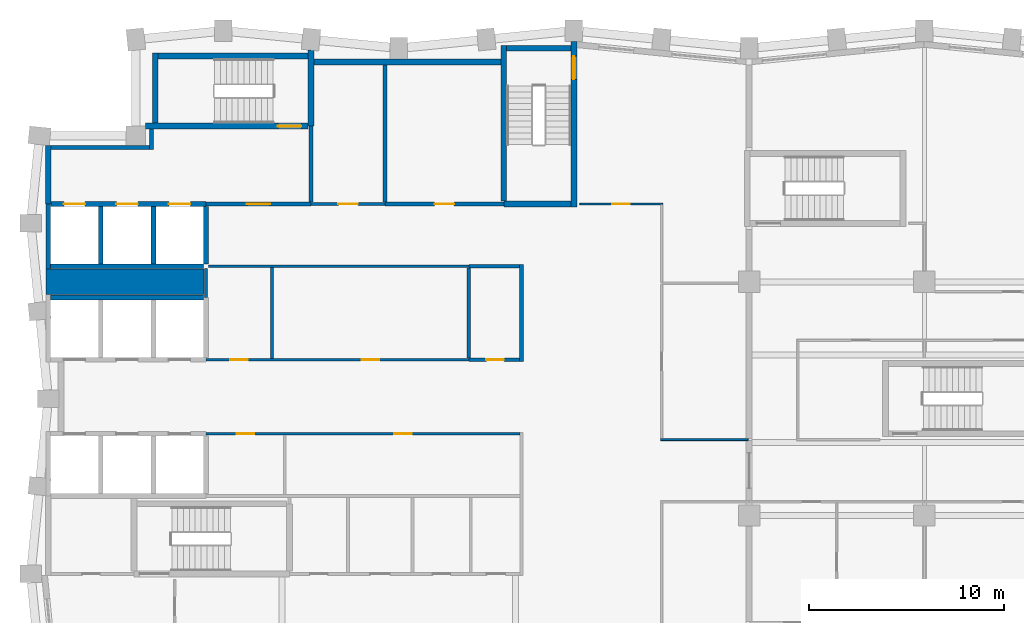
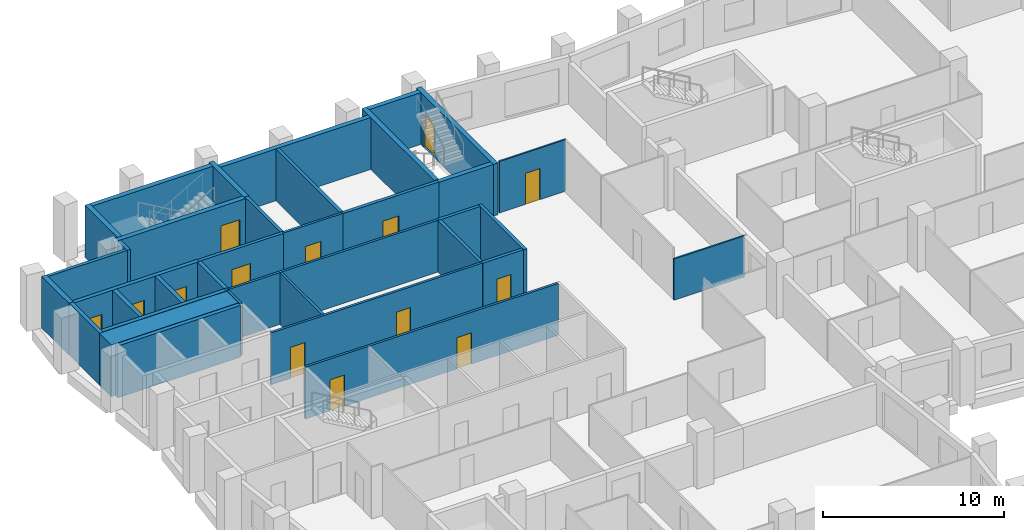
# One storey, part 6 of 10: 36 walls, 14 doors, 14 openings.
"""IFC4 building model written with IfcOpenShell, lengths in metres."""

from ifc_helpers import new_model, si_unit, direction, frame, frame_2d, origin, place, context, subcontext, project, spatial, rectangle, extrude, material, layer, layer_set, type_object, element, fill, save


model = new_model("IFC4")

# Units and contexts
model_context = context("Model", 3, precision=1e-05, world=origin(), true_north=direction((0.0, 1.0)))
body_context = subcontext(model_context, "Body", "Model", "MODEL_VIEW")
ifc_project = project(units=[si_unit("LENGTHUNIT", "METRE"), si_unit("AREAUNIT", "SQUARE_METRE"), si_unit("VOLUMEUNIT", "CUBIC_METRE"), si_unit("PLANEANGLEUNIT", "RADIAN"), si_unit("MASSUNIT", "GRAM", prefix="KILO")], contexts=[model_context])

# Site, building, storey
site_placement = place(None, origin())
site = spatial("IfcSite", under=ifc_project, at=site_placement, CompositionType="ELEMENT")
building_placement = place(site_placement, origin())
building = spatial("IfcBuilding", under=site, at=building_placement, Name="Brondeck Convention Tower", CompositionType="ELEMENT")
storey_placement = place(building_placement, frame((0.0, 0.0, 173.800048828125)))
storey = spatial("IfcBuildingStorey", under=building, at=storey_placement, Name="L42", CompositionType="ELEMENT", Elevation=173.800048828125)

# Walls
ifc_material_1 = material(Name="Concrete C70/85", Category="concrete")
ifc_layer_1 = layer(ifc_material_1, 0.199951171875)
ifc_layer_set_1 = layer_set([ifc_layer_1], Name="Core beam-seat wall 200 Concrete C70/85")
wall_type_1 = type_object("IfcWallType", Name="Core beam-seat wall 200 Concrete C70/85", PredefinedType="SHEAR", material=ifc_layer_set_1)
wall_1_placement = place(storey_placement, frame((24.300048828125, 46.89990234375, 0.0), z_axis=(0.0, 0.0, 1.0), x_axis=(0.0, 1.0, 0.0)))
element("IfcWall", 1, at=wall_1_placement, inside=storey, type_object=wall_type_1, Name="L42 core wall", PredefinedType="SHEAR", context=body_context, shape_type="SweptSolid", body=[
    extrude(rectangle(XDim=5.0, YDim=0.199951171875, at=frame_2d((2.5, 0.0))), origin(), (0.0, 0.0, 1.0), 3.5),
])
ifc_layer_2 = layer(ifc_material_1, 0.300048828125)
ifc_layer_set_2 = layer_set([ifc_layer_2], Name="Core outer wall 300 Concrete C70/85")
wall_type_2 = type_object("IfcWallType", Name="Core outer wall 300 Concrete C70/85", PredefinedType="SHEAR", material=ifc_layer_set_2)
wall_2_placement = place(storey_placement, frame((13.64990234375, 62.300048828125, 0.0), z_axis=(0.0, 0.0, 1.0), x_axis=(1.0, 0.0, 0.0)))
element("IfcWall", 2, at=wall_2_placement, inside=storey, type_object=wall_type_2, Name="L42 core wall", PredefinedType="SHEAR", context=body_context, shape_type="SweptSolid", body=[
    extrude(rectangle(XDim=9.60009765625, YDim=0.300048828125, at=frame_2d((4.800048828125, 0.0))), origin(), (0.0, 0.0, 1.0), 3.5),
])
wall_3_placement = place(storey_placement, frame((0.0, 55.0, 0.0), z_axis=(0.0, 0.0, 1.0), x_axis=(0.0, 1.0, 0.0)))
element("IfcWall", 3, at=wall_3_placement, inside=storey, type_object=wall_type_2, Name="L42 core wall", PredefinedType="SHEAR", context=body_context, shape_type="SweptSolid", body=[
    extrude(rectangle(XDim=3.0, YDim=0.300048828125, at=frame_2d((1.5, 0.0))), origin(), (0.0, 0.0, 1.0), 3.5),
])

# Wall, openings, doors
ifc_material_2 = material(Name="Fire-rated gypsum board partition")
ifc_layer_3 = layer(ifc_material_2, 0.14990234375)
ifc_layer_set_3 = layer_set([ifc_layer_3], Name="Core partition 150 EI 60")
wall_type_3 = type_object("IfcWallType", Name="Core partition 150 EI 60", PredefinedType="PARTITIONING", material=ifc_layer_set_3)
wall_4_placement = place(storey_placement, frame((8.10009765625, 43.199951171875, 0.0), z_axis=(0.0, 0.0, 1.0), x_axis=(1.0, 0.0, 0.0)))
wall_4 = element("IfcWall", 4, at=wall_4_placement, inside=storey, type_object=wall_type_3, Name="L42 core wall", PredefinedType="PARTITIONING", context=body_context, shape_type="SweptSolid", body=[
    extrude(rectangle(XDim=16.125, YDim=0.14990234375, at=frame_2d((8.0625, 0.0))), origin(), (0.0, 0.0, 1.0), 3.5),
])
opening_1_placement = place(wall_4_placement, frame((1.574951171875, 0.0, 0.0)))
opening_1 = element("IfcOpeningElement", 5, at=opening_1_placement, cuts=wall_4, Name="Opening C23-10", PredefinedType="OPENING", context=body_context, shape_type="SweptSolid", body=[
    extrude(rectangle(XDim=0.89990234375, YDim=2.10009765625, at=frame_2d((0.449951171875, 1.050048828125))), frame((0.0, 0.0849609375, 0.0), z_axis=(0.0, -1.0, 0.0), x_axis=(1.0, 0.0, 0.0)), (0.0, 0.0, 1.0), 0.169921875),
])
opening_2_placement = place(wall_4_placement, frame((9.675048828125, 0.0, 0.0)))
opening_2 = element("IfcOpeningElement", 6, at=opening_2_placement, cuts=wall_4, Name="Opening C23-11", PredefinedType="OPENING", context=body_context, shape_type="SweptSolid", body=[
    extrude(rectangle(XDim=0.89990234375, YDim=2.10009765625, at=frame_2d((0.449951171875, 1.050048828125))), frame((0.0, 0.0849609375, 0.0), z_axis=(0.0, -1.0, 0.0), x_axis=(1.0, 0.0, 0.0)), (0.0, 0.0, 1.0), 0.169921875),
])
ifc_material_3 = material(Name="Steel fire door", Category="steel")
door_type_1 = type_object("IfcDoorType", Name="Room door 900x2100 EI 60", OperationType="NOTDEFINED", PredefinedType="DOOR", material=ifc_material_3)
door_1_placement = place(opening_1_placement, origin())
door_1 = element("IfcDoor", 7, at=door_1_placement, inside=storey, type_object=door_type_1, Name="L42 Room door FZ-S-8.1-1", OperationType="SINGLE_SWING_RIGHT", OverallHeight=2.10009765625, OverallWidth=0.89990234375, PredefinedType="DOOR", context=body_context, shape_type="SweptSolid", body=[
    extrude(rectangle(XDim=0.89990234375, YDim=2.10009765625, at=frame_2d((0.449951171875, 1.050048828125))), frame((0.0, 0.02490234375, 0.0), z_axis=(0.0, -1.0, 0.0), x_axis=(1.0, 0.0, 0.0)), (0.0, 0.0, 1.0), 0.050048828125),
])
fill(opening_1, door_1)
door_2_placement = place(opening_2_placement, origin())
door_2 = element("IfcDoor", 8, at=door_2_placement, inside=storey, type_object=door_type_1, Name="L42 Room door FZ-S-8.1-2", OperationType="SINGLE_SWING_LEFT", OverallHeight=2.10009765625, OverallWidth=0.89990234375, PredefinedType="DOOR", context=body_context, shape_type="SweptSolid", body=[
    extrude(rectangle(XDim=0.89990234375, YDim=2.10009765625, at=frame_2d((0.449951171875, 1.050048828125))), frame((0.0, 0.02490234375, 0.0), z_axis=(0.0, -1.0, 0.0), x_axis=(1.0, 0.0, 0.0)), (0.0, 0.0, 1.0), 0.050048828125),
])
fill(opening_2, door_2)

wall_5_placement = place(storey_placement, frame((8.10009765625, 47.0, 0.0), z_axis=(0.0, 0.0, 1.0), x_axis=(1.0, 0.0, 0.0)))
wall_5 = element("IfcWall", 9, at=wall_5_placement, inside=storey, type_object=wall_type_3, Name="L42 core wall", PredefinedType="PARTITIONING", context=body_context, shape_type="SweptSolid", body=[
    extrude(rectangle(XDim=13.5, YDim=0.14990234375, at=frame_2d((6.75, 0.0))), origin(), (0.0, 0.0, 1.0), 3.5),
])
opening_3_placement = place(wall_5_placement, frame((1.25, 0.0, 0.0)))
opening_3 = element("IfcOpeningElement", 10, at=opening_3_placement, cuts=wall_5, Name="Opening C23-08", PredefinedType="OPENING", context=body_context, shape_type="SweptSolid", body=[
    extrude(rectangle(XDim=0.89990234375, YDim=2.10009765625, at=frame_2d((0.449951171875, 1.050048828125))), frame((0.0, 0.0849609375, 0.0), z_axis=(0.0, -1.0, 0.0), x_axis=(1.0, 0.0, 0.0)), (0.0, 0.0, 1.0), 0.169921875),
])
opening_4_placement = place(wall_5_placement, frame((8.0, 0.0, 0.0)))
opening_4 = element("IfcOpeningElement", 11, at=opening_4_placement, cuts=wall_5, Name="Opening C23-09", PredefinedType="OPENING", context=body_context, shape_type="SweptSolid", body=[
    extrude(rectangle(XDim=0.89990234375, YDim=2.10009765625, at=frame_2d((0.449951171875, 1.050048828125))), frame((0.0, 0.0849609375, 0.0), z_axis=(0.0, -1.0, 0.0), x_axis=(1.0, 0.0, 0.0)), (0.0, 0.0, 1.0), 0.169921875),
])
door_3_placement = place(opening_3_placement, origin())
door_3 = element("IfcDoor", 12, at=door_3_placement, inside=storey, type_object=door_type_1, Name="L42 Room door FZ-N-8.1-1", OperationType="SINGLE_SWING_LEFT", OverallHeight=2.10009765625, OverallWidth=0.89990234375, PredefinedType="DOOR", context=body_context, shape_type="SweptSolid", body=[
    extrude(rectangle(XDim=0.89990234375, YDim=2.10009765625, at=frame_2d((0.449951171875, 1.050048828125))), frame((0.0, 0.02490234375, 0.0), z_axis=(0.0, -1.0, 0.0), x_axis=(1.0, 0.0, 0.0)), (0.0, 0.0, 1.0), 0.050048828125),
])
fill(opening_3, door_3)
door_4_placement = place(opening_4_placement, origin())
door_4 = element("IfcDoor", 13, at=door_4_placement, inside=storey, type_object=door_type_1, Name="L42 Room door FZ-N-8.1-2", OperationType="SINGLE_SWING_RIGHT", OverallHeight=2.10009765625, OverallWidth=0.89990234375, PredefinedType="DOOR", context=body_context, shape_type="SweptSolid", body=[
    extrude(rectangle(XDim=0.89990234375, YDim=2.10009765625, at=frame_2d((0.449951171875, 1.050048828125))), frame((0.0, 0.02490234375, 0.0), z_axis=(0.0, -1.0, 0.0), x_axis=(1.0, 0.0, 0.0)), (0.0, 0.0, 1.0), 0.050048828125),
])
fill(opening_4, door_4)

# Wall
wall_6_placement = place(storey_placement, frame((8.22509765625, 51.800048828125, 0.0), z_axis=(0.0, 0.0, 1.0), x_axis=(1.0, 0.0, 0.0)))
element("IfcWall", 14, at=wall_6_placement, inside=storey, type_object=wall_type_3, Name="L42 core wall", PredefinedType="PARTITIONING", context=body_context, shape_type="SweptSolid", body=[
    extrude(rectangle(XDim=13.375, YDim=0.14990234375, at=frame_2d((6.6875, 0.0))), origin(), (0.0, 0.0, 1.0), 3.5),
])

# Wall, opening, door
wall_7_placement = place(storey_placement, frame((13.5, 55.0, 0.0), z_axis=(0.0, 0.0, 1.0), x_axis=(1.0, 0.0, 0.0)))
wall_7 = element("IfcWall", 15, at=wall_7_placement, inside=storey, type_object=wall_type_3, Name="L42 core wall", PredefinedType="PARTITIONING", context=body_context, shape_type="SweptSolid", body=[
    extrude(rectangle(XDim=3.800048828125, YDim=0.14990234375, at=frame_2d((1.89990234375, 0.0))), origin(), (0.0, 0.0, 1.0), 3.5),
])
opening_5_placement = place(wall_7_placement, frame((1.39990234375, 0.0, 0.0)))
opening_5 = element("IfcOpeningElement", 16, at=opening_5_placement, cuts=wall_7, Name="Opening C23-12", PredefinedType="OPENING", context=body_context, shape_type="SweptSolid", body=[
    extrude(rectangle(XDim=1.0, YDim=2.10009765625, at=frame_2d((0.5, 1.050048828125))), frame((0.0, 0.0849609375, 0.0), z_axis=(0.0, -1.0, 0.0), x_axis=(1.0, 0.0, 0.0)), (0.0, 0.0, 1.0), 0.169921875),
])
door_type_2 = type_object("IfcDoorType", Name="Room door 1000x2100 EI 60", OperationType="NOTDEFINED", PredefinedType="DOOR", material=ifc_material_3)
door_5_placement = place(opening_5_placement, origin())
door_5 = element("IfcDoor", 17, at=door_5_placement, inside=storey, type_object=door_type_2, Name="L42 Room door NE-1", OperationType="SINGLE_SWING_LEFT", OverallHeight=2.10009765625, OverallWidth=1.0, PredefinedType="DOOR", context=body_context, shape_type="SweptSolid", body=[
    extrude(rectangle(XDim=1.0, YDim=2.10009765625, at=frame_2d((0.5, 1.050048828125))), frame((0.0, 0.02490234375, 0.0), z_axis=(0.0, -1.0, 0.0), x_axis=(1.0, 0.0, 0.0)), (0.0, 0.0, 1.0), 0.050048828125),
])
fill(opening_5, door_5)

# Walls
wall_8_placement = place(storey_placement, frame((8.10009765625, 50.199951171875, 0.0), z_axis=(0.0, 0.0, 1.0), x_axis=(0.0, 1.0, 0.0)))
element("IfcWall", 18, at=wall_8_placement, inside=storey, type_object=wall_type_3, Name="L42 core wall", PredefinedType="PARTITIONING", context=body_context, shape_type="SweptSolid", body=[
    extrude(rectangle(XDim=1.47509765625, YDim=0.14990234375, at=frame_2d((0.737548828125, 0.0))), origin(), (0.0, 0.0, 1.0), 3.5),
])
wall_9_placement = place(storey_placement, frame((11.5, 47.074951171875, 0.0), z_axis=(0.0, 0.0, 1.0), x_axis=(0.0, 1.0, 0.0)))
element("IfcWall", 19, at=wall_9_placement, inside=storey, type_object=wall_type_3, Name="L42 core wall", PredefinedType="PARTITIONING", context=body_context, shape_type="SweptSolid", body=[
    extrude(rectangle(XDim=4.650146484375, YDim=0.14990234375, at=frame_2d((2.3251953125, 0.0))), origin(), (0.0, 0.0, 1.0), 3.5),
])
ifc_layer_4 = layer(ifc_material_1, 1.300048828125)
ifc_layer_set_4 = layer_set([ifc_layer_4], Name="Core shear wall 1300 Concrete C70/85")
wall_type_4 = type_object("IfcWallType", Name="Core shear wall 1300 Concrete C70/85", PredefinedType="SHEAR", material=ifc_layer_set_4)
wall_10_placement = place(storey_placement, frame((-0.125, 51.0, 0.0), z_axis=(0.0, 0.0, 1.0), x_axis=(1.0, 0.0, 0.0)))
element("IfcWall", 20, at=wall_10_placement, inside=storey, type_object=wall_type_4, Name="L42 core wall", PredefinedType="SHEAR", context=body_context, shape_type="SweptSolid", body=[
    extrude(rectangle(XDim=8.125, YDim=1.300048828125, at=frame_2d((4.0625, 0.0))), origin(), (0.0, 0.0, 1.0), 3.5),
])

# Wall, opening, door
ifc_layer_5 = layer(ifc_material_2, 0.199951171875)
ifc_layer_set_5 = layer_set([ifc_layer_5], Name="Firefighting lobby wall 200 EI 120")
wall_type_5 = type_object("IfcWallType", Name="Firefighting lobby wall 200 EI 120", PredefinedType="PARTITIONING", material=ifc_layer_set_5)
wall_11_placement = place(storey_placement, frame((8.10009765625, 55.0, 0.0), z_axis=(0.0, 0.0, 1.0), x_axis=(1.0, 0.0, 0.0)))
wall_11 = element("IfcWall", 21, at=wall_11_placement, inside=storey, type_object=wall_type_5, Name="L42 core wall", PredefinedType="PARTITIONING", context=body_context, shape_type="SweptSolid", body=[
    extrude(rectangle(XDim=5.39990234375, YDim=0.199951171875, at=frame_2d((2.699951171875, 0.0))), origin(), (0.0, 0.0, 1.0), 3.5),
])
opening_6_placement = place(wall_11_placement, frame((2.10009765625, 0.0, 0.0)))
opening_6 = element("IfcOpeningElement", 22, at=opening_6_placement, cuts=wall_11, Name="Opening C23-01", PredefinedType="OPENING", context=body_context, shape_type="SweptSolid", body=[
    extrude(rectangle(XDim=1.199951171875, YDim=2.199951171875, at=frame_2d((0.60009765625, 1.10009765625))), frame((0.0, 0.10986328125, 0.0), z_axis=(0.0, -1.0, 0.0), x_axis=(1.0, 0.0, 0.0)), (0.0, 0.0, 1.0), 0.219970703125),
])
door_type_3 = type_object("IfcDoorType", Name="Firefighting lobby door 1200x2200 EI 120", OperationType="NOTDEFINED", PredefinedType="DOOR", material=ifc_material_3)
door_6_placement = place(opening_6_placement, origin())
door_6 = element("IfcDoor", 23, at=door_6_placement, inside=storey, type_object=door_type_3, Name="L42 Firefighting lobby door FFL-1", OperationType="SINGLE_SWING_RIGHT", OverallHeight=2.199951171875, OverallWidth=1.199951171875, PredefinedType="DOOR", context=body_context, shape_type="SweptSolid", body=[
    extrude(rectangle(XDim=1.199951171875, YDim=2.199951171875, at=frame_2d((0.60009765625, 1.10009765625))), frame((0.0, 0.02490234375, 0.0), z_axis=(0.0, -1.0, 0.0), x_axis=(1.0, 0.0, 0.0)), (0.0, 0.0, 1.0), 0.050048828125),
])
fill(opening_6, door_6)

# Walls
wall_12_placement = place(storey_placement, frame((0.14990234375, 57.89990234375, 0.0), z_axis=(0.0, 0.0, 1.0), x_axis=(1.0, 0.0, 0.0)))
element("IfcWall", 24, at=wall_12_placement, inside=storey, type_object=wall_type_5, Name="L42 core wall", PredefinedType="PARTITIONING", context=body_context, shape_type="SweptSolid", body=[
    extrude(rectangle(XDim=5.050048828125, YDim=0.199951171875, at=frame_2d((2.52490234375, 0.0))), origin(), (0.0, 0.0, 1.0), 3.5),
])
wall_13_placement = place(storey_placement, frame((5.300048828125, 57.800048828125, 0.0), z_axis=(0.0, 0.0, 1.0), x_axis=(0.0, 1.0, 0.0)))
element("IfcWall", 25, at=wall_13_placement, inside=storey, type_object=wall_type_5, Name="L42 core wall", PredefinedType="PARTITIONING", context=body_context, shape_type="SweptSolid", body=[
    extrude(rectangle(XDim=1.050048828125, YDim=0.199951171875, at=frame_2d((0.52490234375, 0.0))), origin(), (0.0, 0.0, 1.0), 3.5),
])
wall_14_placement = place(storey_placement, frame((13.5, 55.10009765625, 0.0), z_axis=(0.0, 0.0, 1.0), x_axis=(0.0, 1.0, 0.0)))
element("IfcWall", 26, at=wall_14_placement, inside=storey, type_object=wall_type_5, Name="L42 core wall", PredefinedType="PARTITIONING", context=body_context, shape_type="SweptSolid", body=[
    extrude(rectangle(XDim=3.89990234375, YDim=0.199951171875, at=frame_2d((1.949951171875, 0.0))), origin(), (0.0, 0.0, 1.0), 3.5),
])
ifc_layer_6 = layer(ifc_material_1, 0.25)
ifc_layer_set_6 = layer_set([ifc_layer_6], Name="Lift shaft wall 250 Concrete C70/85")
wall_type_6 = type_object("IfcWallType", Name="Lift shaft wall 250 Concrete C70/85", PredefinedType="SHEAR", material=ifc_layer_set_6)
for number, where, z_axis, x_axis, name in (
    (27, (0.125, 50.199951171875, 0.0), (0.0, 0.0, 1.0), (1.0, 0.0, 0.0), "L42 core wall"),
    (28, (0.125, 51.800048828125, 0.0), (0.0, 0.0, 1.0), (1.0, 0.0, 0.0), "L42 core wall"),
):
    element("IfcWall", number, at=place(storey_placement, frame(where, z_axis=z_axis, x_axis=x_axis)), inside=storey, type_object=wall_type_6, Name=name, PredefinedType="SHEAR", context=body_context, shape_type="SweptSolid", body=[
        extrude(rectangle(XDim=7.85009765625, YDim=0.25, at=frame_2d((3.925048828125, 0.0))), origin(), (0.0, 0.0, 1.0), 3.5),
    ])

# Wall, openings, doors
wall_15_placement = place(storey_placement, frame((0.14990234375, 55.0, 0.0), z_axis=(0.0, 0.0, 1.0), x_axis=(1.0, 0.0, 0.0)))
wall_15 = element("IfcWall", 29, at=wall_15_placement, inside=storey, type_object=wall_type_6, Name="L42 core wall", PredefinedType="SHEAR", context=body_context, shape_type="SweptSolid", body=[
    extrude(rectangle(XDim=7.9501953125, YDim=0.25, at=frame_2d((3.97509765625, 0.0))), origin(), (0.0, 0.0, 1.0), 3.5),
])
opening_7_placement = place(wall_15_placement, frame((0.64990234375, 0.0, 0.0)))
opening_7 = element("IfcOpeningElement", 30, at=opening_7_placement, cuts=wall_15, Name="Opening C23-21", PredefinedType="OPENING", context=body_context, shape_type="SweptSolid", body=[
    extrude(rectangle(XDim=1.10009765625, YDim=2.10009765625, at=frame_2d((0.550048828125, 1.050048828125))), frame((0.0, 0.135009765625, 0.0), z_axis=(0.0, -1.0, 0.0), x_axis=(1.0, 0.0, 0.0)), (0.0, 0.0, 1.0), 0.27001953125),
])
opening_8_placement = place(wall_15_placement, frame((3.35009765625, 0.0, 0.0)))
opening_8 = element("IfcOpeningElement", 31, at=opening_8_placement, cuts=wall_15, Name="Opening C23-22", PredefinedType="OPENING", context=body_context, shape_type="SweptSolid", body=[
    extrude(rectangle(XDim=1.10009765625, YDim=2.10009765625, at=frame_2d((0.550048828125, 1.050048828125))), frame((0.0, 0.135009765625, 0.0), z_axis=(0.0, -1.0, 0.0), x_axis=(1.0, 0.0, 0.0)), (0.0, 0.0, 1.0), 0.27001953125),
])
opening_9_placement = place(wall_15_placement, frame((6.050048828125, 0.0, 0.0)))
opening_9 = element("IfcOpeningElement", 32, at=opening_9_placement, cuts=wall_15, Name="Opening C23-23", PredefinedType="OPENING", context=body_context, shape_type="SweptSolid", body=[
    extrude(rectangle(XDim=1.10009765625, YDim=2.10009765625, at=frame_2d((0.550048828125, 1.050048828125))), frame((0.0, 0.135009765625, 0.0), z_axis=(0.0, -1.0, 0.0), x_axis=(1.0, 0.0, 0.0)), (0.0, 0.0, 1.0), 0.27001953125),
])
ifc_material_4 = material(Name="Stainless steel lift door", Category="steel")
door_type_4 = type_object("IfcDoorType", Name="Lift landing door 1100x2100 EI 180", OperationType="DOUBLE_DOOR_SLIDING", PredefinedType="DOOR", material=ifc_material_4)
door_7_placement = place(opening_7_placement, origin())
door_7 = element("IfcDoor", 33, at=door_7_placement, inside=storey, type_object=door_type_4, Name="L42 Lift landing door FF1", OperationType="DOUBLE_DOOR_SLIDING", OverallHeight=2.10009765625, OverallWidth=1.10009765625, PredefinedType="DOOR", context=body_context, shape_type="SweptSolid", body=[
    extrude(rectangle(XDim=1.10009765625, YDim=2.10009765625, at=frame_2d((0.550048828125, 1.050048828125))), frame((0.0, 0.02490234375, 0.0), z_axis=(0.0, -1.0, 0.0), x_axis=(1.0, 0.0, 0.0)), (0.0, 0.0, 1.0), 0.050048828125),
])
fill(opening_7, door_7)
door_8_placement = place(opening_8_placement, origin())
door_8 = element("IfcDoor", 34, at=door_8_placement, inside=storey, type_object=door_type_4, Name="L42 Lift landing door FF2", OperationType="DOUBLE_DOOR_SLIDING", OverallHeight=2.10009765625, OverallWidth=1.10009765625, PredefinedType="DOOR", context=body_context, shape_type="SweptSolid", body=[
    extrude(rectangle(XDim=1.10009765625, YDim=2.10009765625, at=frame_2d((0.550048828125, 1.050048828125))), frame((0.0, 0.02490234375, 0.0), z_axis=(0.0, -1.0, 0.0), x_axis=(1.0, 0.0, 0.0)), (0.0, 0.0, 1.0), 0.050048828125),
])
fill(opening_8, door_8)
door_9_placement = place(opening_9_placement, origin())
door_9 = element("IfcDoor", 35, at=door_9_placement, inside=storey, type_object=door_type_4, Name="L42 Lift landing door FF3", OperationType="DOUBLE_DOOR_SLIDING", OverallHeight=2.10009765625, OverallWidth=1.10009765625, PredefinedType="DOOR", context=body_context, shape_type="SweptSolid", body=[
    extrude(rectangle(XDim=1.10009765625, YDim=2.10009765625, at=frame_2d((0.550048828125, 1.050048828125))), frame((0.0, 0.02490234375, 0.0), z_axis=(0.0, -1.0, 0.0), x_axis=(1.0, 0.0, 0.0)), (0.0, 0.0, 1.0), 0.050048828125),
])
fill(opening_9, door_9)

# Walls
wall_16_placement = place(storey_placement, frame((0.0, 51.64990234375, 0.0), z_axis=(0.0, 0.0, 1.0), x_axis=(0.0, 1.0, 0.0)))
element("IfcWall", 36, at=wall_16_placement, inside=storey, type_object=wall_type_6, Name="L42 core wall", PredefinedType="SHEAR", context=body_context, shape_type="SweptSolid", body=[
    extrude(rectangle(XDim=3.35009765625, YDim=0.25, at=frame_2d((1.675048828125, 0.0))), origin(), (0.0, 0.0, 1.0), 3.5),
])
for number, where, z_axis, x_axis, name in (
    (37, (2.699951171875, 51.925048828125, 0.0), (0.0, 0.0, 1.0), (0.0, 1.0, 0.0), "L42 core wall"),
    (38, (5.39990234375, 51.925048828125, 0.0), (0.0, 0.0, 1.0), (0.0, 1.0, 0.0), "L42 core wall"),
    (39, (8.10009765625, 51.925048828125, 0.0), (0.0, 0.0, 1.0), (0.0, 1.0, 0.0), "L42 core wall"),
):
    element("IfcWall", number, at=place(storey_placement, frame(where, z_axis=z_axis, x_axis=x_axis)), inside=storey, type_object=wall_type_6, Name=name, PredefinedType="SHEAR", context=body_context, shape_type="SweptSolid", body=[
        extrude(rectangle(XDim=2.949951171875, YDim=0.25, at=frame_2d((1.47509765625, 0.0))), origin(), (0.0, 0.0, 1.0), 3.5),
    ])

# Wall, opening, door
ifc_layer_7 = layer(ifc_material_2, 0.199951171875)
ifc_layer_set_7 = layer_set([ifc_layer_7], Name="Riser wall 200 EI 120")
wall_type_7 = type_object("IfcWallType", Name="Riser wall 200 EI 120", PredefinedType="PARTITIONING", material=ifc_layer_set_7)
wall_17_placement = place(storey_placement, frame((21.60009765625, 47.0, 0.0), z_axis=(0.0, 0.0, 1.0), x_axis=(1.0, 0.0, 0.0)))
wall_17 = element("IfcWall", 40, at=wall_17_placement, inside=storey, type_object=wall_type_7, Name="L42 core wall", PredefinedType="PARTITIONING", context=body_context, shape_type="SweptSolid", body=[
    extrude(rectangle(XDim=2.599853515625, YDim=0.199951171875, at=frame_2d((1.2998046875, 0.0))), origin(), (0.0, 0.0, 1.0), 3.5),
])
opening_10_placement = place(wall_17_placement, frame((0.89990234375, 0.0, 0.0)))
opening_10 = element("IfcOpeningElement", 41, at=opening_10_placement, cuts=wall_17, Name="Opening C23-02", PredefinedType="OPENING", context=body_context, shape_type="SweptSolid", body=[
    extrude(rectangle(XDim=0.89990234375, YDim=2.10009765625, at=frame_2d((0.449951171875, 1.050048828125))), frame((0.0, 0.10986328125, 0.0), z_axis=(0.0, -1.0, 0.0), x_axis=(1.0, 0.0, 0.0)), (0.0, 0.0, 1.0), 0.219970703125),
])
door_type_5 = type_object("IfcDoorType", Name="Riser door 900x2100 EI 120", OperationType="NOTDEFINED", PredefinedType="DOOR", material=ifc_material_3)
door_10_placement = place(opening_10_placement, origin())
door_10 = element("IfcDoor", 42, at=door_10_placement, inside=storey, type_object=door_type_5, Name="L42 Riser door EN-1", OperationType="SINGLE_SWING_LEFT", OverallHeight=2.10009765625, OverallWidth=0.89990234375, PredefinedType="DOOR", context=body_context, shape_type="SweptSolid", body=[
    extrude(rectangle(XDim=0.89990234375, YDim=2.10009765625, at=frame_2d((0.449951171875, 1.050048828125))), frame((0.0, 0.02490234375, 0.0), z_axis=(0.0, -1.0, 0.0), x_axis=(1.0, 0.0, 0.0)), (0.0, 0.0, 1.0), 0.050048828125),
])
fill(opening_10, door_10)

# Wall
wall_18_placement = place(storey_placement, frame((21.60009765625, 51.800048828125, 0.0), z_axis=(0.0, 0.0, 1.0), x_axis=(1.0, 0.0, 0.0)))
element("IfcWall", 43, at=wall_18_placement, inside=storey, type_object=wall_type_7, Name="L42 core wall", PredefinedType="PARTITIONING", context=body_context, shape_type="SweptSolid", body=[
    extrude(rectangle(XDim=2.599853515625, YDim=0.199951171875, at=frame_2d((1.2998046875, 0.0))), origin(), (0.0, 0.0, 1.0), 3.5),
])

# Wall, opening, door
wall_19_placement = place(storey_placement, frame((17.300048828125, 55.0, 0.0), z_axis=(0.0, 0.0, 1.0), x_axis=(1.0, 0.0, 0.0)))
wall_19 = element("IfcWall", 44, at=wall_19_placement, inside=storey, type_object=wall_type_7, Name="L42 core wall", PredefinedType="PARTITIONING", context=body_context, shape_type="SweptSolid", body=[
    extrude(rectangle(XDim=6.099853515625, YDim=0.199951171875, at=frame_2d((3.0498046875, 0.0))), origin(), (0.0, 0.0, 1.0), 3.5),
])
opening_11_placement = place(wall_19_placement, frame((2.550048828125, 0.0, 0.0)))
opening_11 = element("IfcOpeningElement", 45, at=opening_11_placement, cuts=wall_19, Name="Opening C23-13", PredefinedType="OPENING", context=body_context, shape_type="SweptSolid", body=[
    extrude(rectangle(XDim=1.0, YDim=2.10009765625, at=frame_2d((0.5, 1.050048828125))), frame((0.0, 0.10986328125, 0.0), z_axis=(0.0, -1.0, 0.0), x_axis=(1.0, 0.0, 0.0)), (0.0, 0.0, 1.0), 0.219970703125),
])
door_type_6 = type_object("IfcDoorType", Name="Riser door 1000x2100 EI 120", OperationType="NOTDEFINED", PredefinedType="DOOR", material=ifc_material_3)
door_11_placement = place(opening_11_placement, origin())
door_11 = element("IfcDoor", 46, at=door_11_placement, inside=storey, type_object=door_type_6, Name="L42 Riser door NE-2", OperationType="SINGLE_SWING_RIGHT", OverallHeight=2.10009765625, OverallWidth=1.0, PredefinedType="DOOR", context=body_context, shape_type="SweptSolid", body=[
    extrude(rectangle(XDim=1.0, YDim=2.10009765625, at=frame_2d((0.5, 1.050048828125))), frame((0.0, 0.02490234375, 0.0), z_axis=(0.0, -1.0, 0.0), x_axis=(1.0, 0.0, 0.0)), (0.0, 0.0, 1.0), 0.050048828125),
])
fill(opening_11, door_11)

# Walls
wall_20_placement = place(storey_placement, frame((17.300048828125, 55.10009765625, 0.0), z_axis=(0.0, 0.0, 1.0), x_axis=(0.0, 1.0, 0.0)))
element("IfcWall", 47, at=wall_20_placement, inside=storey, type_object=wall_type_7, Name="L42 core wall", PredefinedType="PARTITIONING", context=body_context, shape_type="SweptSolid", body=[
    extrude(rectangle(XDim=7.0498046875, YDim=0.199951171875, at=frame_2d((3.52490234375, 0.0))), origin(), (0.0, 0.0, 1.0), 3.5),
])
wall_21_placement = place(storey_placement, frame((21.60009765625, 47.10009765625, 0.0), z_axis=(0.0, 0.0, 1.0), x_axis=(0.0, 1.0, 0.0)))
element("IfcWall", 48, at=wall_21_placement, inside=storey, type_object=wall_type_7, Name="L42 core wall", PredefinedType="PARTITIONING", context=body_context, shape_type="SweptSolid", body=[
    extrude(rectangle(XDim=4.599853515625, YDim=0.199951171875, at=frame_2d((2.2998046875, 0.0))), origin(), (0.0, 0.0, 1.0), 3.5),
])
ifc_material_5 = material(Name="Gypsum board partition on steel studs", Category="steel")
ifc_layer_8 = layer(ifc_material_5, 0.10009765625)
ifc_layer_set_8 = layer_set([ifc_layer_8], Name="Room partition 100")
wall_type_8 = type_object("IfcWallType", Name="Room partition 100", PredefinedType="PARTITIONING", material=ifc_layer_set_8)
wall_22_placement = place(storey_placement, frame((31.449951171875, 42.89990234375, 0.0), z_axis=(0.0, 0.0, 1.0), x_axis=(1.0, 0.0, 0.0)))
element("IfcWall", 49, at=wall_22_placement, inside=storey, type_object=wall_type_8, Name="FLR-L42-W054", PredefinedType="PARTITIONING", context=body_context, shape_type="SweptSolid", body=[
    extrude(rectangle(XDim=4.5, YDim=0.10009765625, at=frame_2d((2.25, 0.0))), origin(), (0.0, 0.0, 1.0), 2.780029296875),
])

# Wall, opening, door
wall_23_placement = place(storey_placement, frame((27.300048828125, 55.0, 0.0), z_axis=(0.0, 0.0, 1.0), x_axis=(1.0, 0.0, 0.0)))
wall_23 = element("IfcWall", 50, at=wall_23_placement, inside=storey, type_object=wall_type_8, Name="FLR-L42-W071", PredefinedType="PARTITIONING", context=body_context, shape_type="SweptSolid", body=[
    extrude(rectangle(XDim=4.25, YDim=0.10009765625, at=frame_2d((2.125, 0.0))), origin(), (0.0, 0.0, 1.0), 3.47998046875),
])
opening_12_placement = place(wall_23_placement, frame((1.675048828125, 0.0, 0.0)))
opening_12 = element("IfcOpeningElement", 51, at=opening_12_placement, cuts=wall_23, Name="Opening OF-H-020", PredefinedType="OPENING", context=body_context, shape_type="SweptSolid", body=[
    extrude(rectangle(XDim=0.89990234375, YDim=2.10009765625, at=frame_2d((0.449951171875, 1.050048828125))), frame((0.0, 0.06005859375, 0.0), z_axis=(0.0, -1.0, 0.0), x_axis=(1.0, 0.0, 0.0)), (0.0, 0.0, 1.0), 0.1201171875),
])
ifc_material_6 = material(Name="Solid timber door leaf", Category="wood")
door_type_7 = type_object("IfcDoorType", Name="Single door 900", OperationType="NOTDEFINED", PredefinedType="DOOR", material=ifc_material_6)
door_12_placement = place(opening_12_placement, origin())
door_12 = element("IfcDoor", 52, at=door_12_placement, inside=storey, type_object=door_type_7, Name="Door OF-H-020", OperationType="SINGLE_SWING_LEFT", OverallHeight=2.10009765625, OverallWidth=0.89990234375, PredefinedType="DOOR", context=body_context, shape_type="SweptSolid", body=[
    extrude(rectangle(XDim=0.89990234375, YDim=2.10009765625, at=frame_2d((0.449951171875, 1.050048828125))), frame((0.0, 0.02490234375, 0.0), z_axis=(0.0, -1.0, 0.0), x_axis=(1.0, 0.0, 0.0)), (0.0, 0.0, 1.0), 0.050048828125),
])
fill(opening_12, door_12)

# Wall
ifc_layer_9 = layer(ifc_material_1, 0.300048828125)
ifc_layer_set_9 = layer_set([ifc_layer_9], Name="Stair enclosure wall 300 Concrete C70/85")
wall_type_9 = type_object("IfcWallType", Name="Stair enclosure wall 300 Concrete C70/85", PredefinedType="SHEAR", material=ifc_layer_set_9)
wall_24_placement = place(storey_placement, frame((23.39990234375, 55.0, 0.0), z_axis=(0.0, 0.0, 1.0), x_axis=(1.0, 0.0, 0.0)))
element("IfcWall", 53, at=wall_24_placement, inside=storey, type_object=wall_type_9, Name="L42 core wall", PredefinedType="SHEAR", context=body_context, shape_type="SweptSolid", body=[
    extrude(rectangle(XDim=3.4501953125, YDim=0.300048828125, at=frame_2d((1.72509765625, 0.0))), origin(), (0.0, 0.0, 1.0), 3.5),
])

# Wall, opening, door
wall_25_placement = place(storey_placement, frame((5.0, 59.0, 0.0), z_axis=(0.0, 0.0, 1.0), x_axis=(1.0, 0.0, 0.0)))
wall_25 = element("IfcWall", 54, at=wall_25_placement, inside=storey, type_object=wall_type_9, Name="L42 core wall", PredefinedType="SHEAR", context=body_context, shape_type="SweptSolid", body=[
    extrude(rectangle(XDim=8.35009765625, YDim=0.300048828125, at=frame_2d((4.175048828125, 0.0))), origin(), (0.0, 0.0, 1.0), 3.5),
])
opening_13_placement = place(wall_25_placement, frame((6.800048828125, 0.0, 0.0)))
opening_13 = element("IfcOpeningElement", 55, at=opening_13_placement, cuts=wall_25, Name="Opening C23-16", PredefinedType="OPENING", context=body_context, shape_type="SweptSolid", body=[
    extrude(rectangle(XDim=1.199951171875, YDim=2.199951171875, at=frame_2d((0.60009765625, 1.10009765625))), frame((0.0, 0.159912109375, 0.0), z_axis=(0.0, -1.0, 0.0), x_axis=(1.0, 0.0, 0.0)), (0.0, 0.0, 1.0), 0.320068359375),
])
door_type_8 = type_object("IfcDoorType", Name="Stair door 1200x2200 EI 120", OperationType="NOTDEFINED", PredefinedType="DOOR", material=ifc_material_3)
door_13_placement = place(opening_13_placement, origin())
door_13 = element("IfcDoor", 56, at=door_13_placement, inside=storey, type_object=door_type_8, Name="L42 Stair door ST-3", OperationType="SINGLE_SWING_RIGHT", OverallHeight=2.199951171875, OverallWidth=1.199951171875, PredefinedType="DOOR", context=body_context, shape_type="SweptSolid", body=[
    extrude(rectangle(XDim=1.199951171875, YDim=2.199951171875, at=frame_2d((0.60009765625, 1.10009765625))), frame((0.0, 0.02490234375, 0.0), z_axis=(0.0, -1.0, 0.0), x_axis=(1.0, 0.0, 0.0)), (0.0, 0.0, 1.0), 0.050048828125),
])
fill(opening_13, door_13)

# Walls
wall_26_placement = place(storey_placement, frame((5.64990234375, 62.60009765625, 0.0), z_axis=(0.0, 0.0, 1.0), x_axis=(1.0, 0.0, 0.0)))
element("IfcWall", 57, at=wall_26_placement, inside=storey, type_object=wall_type_9, Name="L42 core wall", PredefinedType="SHEAR", context=body_context, shape_type="SweptSolid", body=[
    extrude(rectangle(XDim=7.7001953125, YDim=0.300048828125, at=frame_2d((3.85009765625, 0.0))), origin(), (0.0, 0.0, 1.0), 3.5),
])
wall_27_placement = place(storey_placement, frame((23.550048828125, 63.0, 0.0), z_axis=(0.0, 0.0, 1.0), x_axis=(1.0, 0.0, 0.0)))
element("IfcWall", 58, at=wall_27_placement, inside=storey, type_object=wall_type_9, Name="L42 core wall", PredefinedType="SHEAR", context=body_context, shape_type="SweptSolid", body=[
    extrude(rectangle(XDim=3.300048828125, YDim=0.300048828125, at=frame_2d((1.64990234375, 0.0))), origin(), (0.0, 0.0, 1.0), 3.5),
])
wall_28_placement = place(storey_placement, frame((5.5, 59.14990234375, 0.0), z_axis=(0.0, 0.0, 1.0), x_axis=(0.0, 1.0, 0.0)))
element("IfcWall", 59, at=wall_28_placement, inside=storey, type_object=wall_type_9, Name="L42 core wall", PredefinedType="SHEAR", context=body_context, shape_type="SweptSolid", body=[
    extrude(rectangle(XDim=3.60009765625, YDim=0.300048828125, at=frame_2d((1.800048828125, 0.0))), origin(), (0.0, 0.0, 1.0), 3.5),
])
wall_29_placement = place(storey_placement, frame((13.5, 59.0, 0.0), z_axis=(0.0, 0.0, 1.0), x_axis=(0.0, 1.0, 0.0)))
element("IfcWall", 60, at=wall_29_placement, inside=storey, type_object=wall_type_9, Name="L42 core wall", PredefinedType="SHEAR", context=body_context, shape_type="SweptSolid", body=[
    extrude(rectangle(XDim=3.897216796875, YDim=0.300048828125, at=frame_2d((1.94873046875, 0.0))), origin(), (0.0, 0.0, 1.0), 3.5),
])
wall_30_placement = place(storey_placement, frame((23.39990234375, 55.14990234375, 0.0), z_axis=(0.0, 0.0, 1.0), x_axis=(0.0, 1.0, 0.0)))
element("IfcWall", 61, at=wall_30_placement, inside=storey, type_object=wall_type_9, Name="L42 core wall", PredefinedType="SHEAR", context=body_context, shape_type="SweptSolid", body=[
    extrude(rectangle(XDim=8.0, YDim=0.300048828125, at=frame_2d((4.0, 0.0))), origin(), (0.0, 0.0, 1.0), 3.5),
])

# Wall, opening, door
wall_31_placement = place(storey_placement, frame((27.0, 54.85009765625, 0.0), z_axis=(0.0, 0.0, 1.0), x_axis=(0.0, 1.0, 0.0)))
wall_31 = element("IfcWall", 62, at=wall_31_placement, inside=storey, type_object=wall_type_9, Name="L42 core wall", PredefinedType="SHEAR", context=body_context, shape_type="SweptSolid", body=[
    extrude(rectangle(XDim=8.5, YDim=0.300048828125, at=frame_2d((4.25, 0.0))), origin(), (0.0, 0.0, 1.0), 3.5),
])
opening_14_placement = place(wall_31_placement, frame((6.550048828125, 0.0, 0.0)))
opening_14 = element("IfcOpeningElement", 63, at=opening_14_placement, cuts=wall_31, Name="Opening C23-15", PredefinedType="OPENING", context=body_context, shape_type="SweptSolid", body=[
    extrude(rectangle(XDim=1.199951171875, YDim=2.199951171875, at=frame_2d((0.60009765625, 1.10009765625))), frame((0.0, 0.159912109375, 0.0), z_axis=(0.0, -1.0, 0.0), x_axis=(1.0, 0.0, 0.0)), (0.0, 0.0, 1.0), 0.320068359375),
])
door_type_9 = type_object("IfcDoorType", Name="Stair door 1200x2200 EI 90", OperationType="NOTDEFINED", PredefinedType="DOOR", material=ifc_material_3)
door_14_placement = place(opening_14_placement, origin())
door_14 = element("IfcDoor", 64, at=door_14_placement, inside=storey, type_object=door_type_9, Name="L42 Stair door ST-2", OperationType="SINGLE_SWING_LEFT", OverallHeight=2.199951171875, OverallWidth=1.199951171875, PredefinedType="DOOR", context=body_context, shape_type="SweptSolid", body=[
    extrude(rectangle(XDim=1.199951171875, YDim=2.199951171875, at=frame_2d((0.60009765625, 1.10009765625))), frame((0.0, 0.02490234375, 0.0), z_axis=(0.0, -1.0, 0.0), x_axis=(1.0, 0.0, 0.0)), (0.0, 0.0, 1.0), 0.050048828125),
])
fill(opening_14, door_14)

save(model, "model.ifc")
